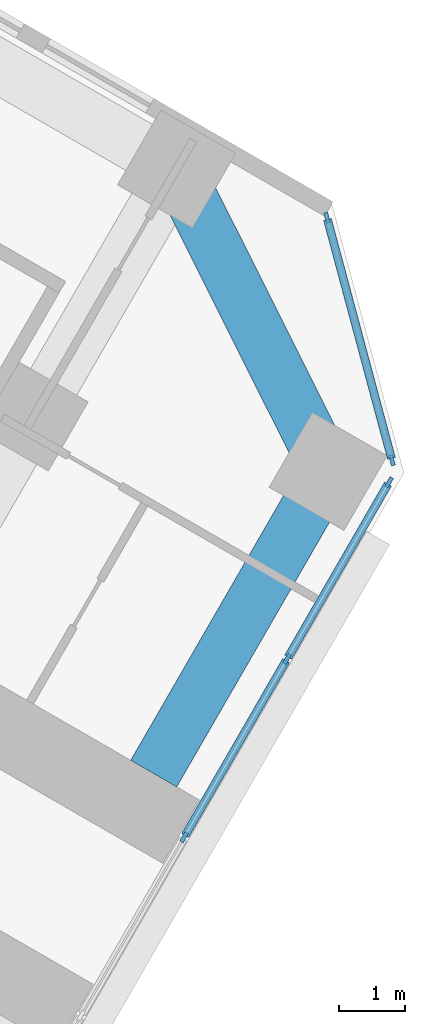
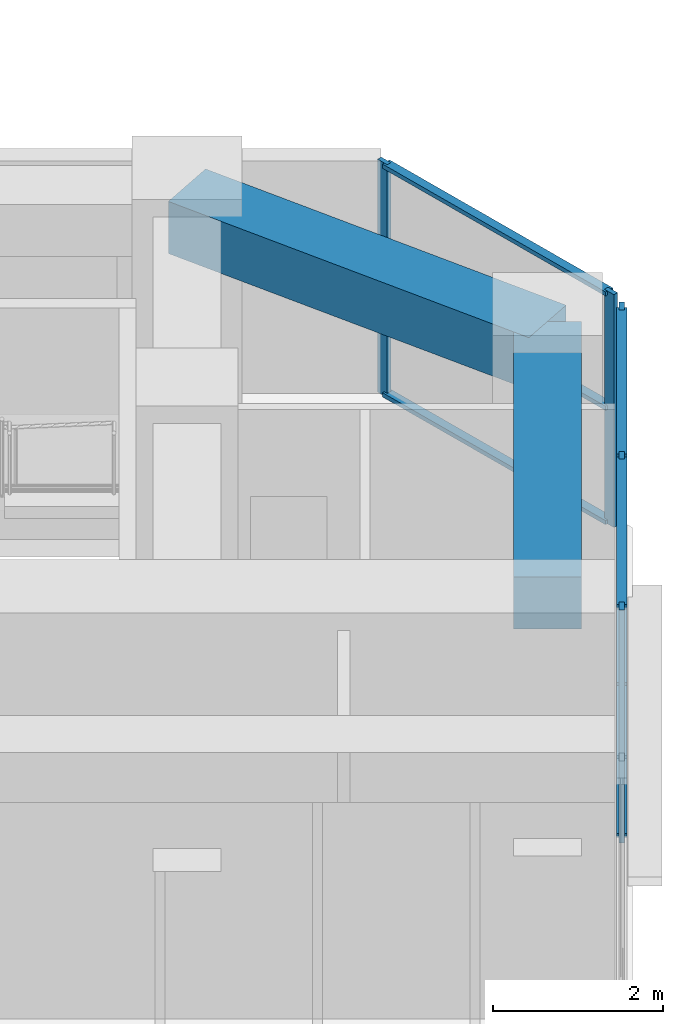
# One storey, part 8 of 19: 12 members, 2 beams, 2 elements without a shape of their own.
"""IFC4 building model written with IfcOpenShell, lengths in metres."""

from ifc_helpers import new_model, si_unit, direction, frame, origin, origin_2d, place, context, subcontext, project, spatial, rectangle, extrude, material, material_profile, profile_set, type_object, element, aggregate, save


model = new_model("IFC4")

# Units and contexts
model_context = context("Model", 3, precision=1e-05, world=origin(), true_north=direction((0.0, 1.0)))
body_context = subcontext(model_context, "Body", "Model", "MODEL_VIEW")
ifc_project = project(units=[si_unit("LENGTHUNIT", "METRE"), si_unit("AREAUNIT", "SQUARE_METRE"), si_unit("VOLUMEUNIT", "CUBIC_METRE"), si_unit("PLANEANGLEUNIT", "RADIAN"), si_unit("MASSUNIT", "GRAM", prefix="KILO")], contexts=[model_context])

# Site, building, storey
site_placement = place(None, origin())
site = spatial("IfcSite", under=ifc_project, at=site_placement, CompositionType="ELEMENT")
building_placement = place(site_placement, origin())
building = spatial("IfcBuilding", under=site, at=building_placement, Name="Kosmar Iwan School Tower", CompositionType="ELEMENT")
storey_placement = place(building_placement, frame((0.0, 0.0, 120.199951171875)))
storey = spatial("IfcBuildingStorey", under=building, at=storey_placement, Name="L29", CompositionType="ELEMENT", Elevation=120.199951171875)

# Curtain wall, members
ifc_material_1 = material(Name="Dark glass in black aluminium frame", Category="aluminium")
curtain_wall_type = type_object("IfcCurtainWallType", Name="Sky lounge curtain wall", PredefinedType="USERDEFINED", material=ifc_material_1)
curtain_wall_1_placement = place(storey_placement, origin())
curtain_wall_1 = element("IfcCurtainWall", 1, at=curtain_wall_1_placement, inside=storey, type_object=curtain_wall_type, Name="Curtain wall L29-F03", ObjectType="FULL HEIGHT CURTAIN WALL", PredefinedType="USERDEFINED")
ifc_material_2 = material(Name="Black anodised aluminium", Category="aluminium")
ifc_material_profile_1 = material_profile(ifc_material_2, rectangle(XDim=0.06005859375, YDim=0.159912109375, at=origin_2d()), Name="MULLION 60x160")
ifc_profile_set_1 = profile_set([ifc_material_profile_1], Name="Black anodised aluminium")
member_type_1 = type_object("IfcMemberType", Name="Mullion 60x160", PredefinedType="MULLION", material=ifc_profile_set_1)
member_1_placement = place(storey_placement, frame((30.631103515625, -15.8955078125, 0.0), z_axis=(0.0, 0.0, 1.0), x_axis=(-0.866025405329, 0.499999997325, 0.0)))
member_1 = element("IfcMember", 2, at=member_1_placement, type_object=member_type_1, Name="CW6 mullion 4", PredefinedType="MULLION", context=body_context, shape_type="SweptSolid", body=[
    extrude(rectangle(XDim=0.06005859375, YDim=0.159912109375, at=origin_2d()), origin(), (0.0, 0.0, 1.0), 3.35009765625),
])
member_2_placement = place(storey_placement, frame((32.1806640625, -13.21142578125, 0.0), z_axis=(0.0, 0.0, 1.0), x_axis=(-0.866025405329, 0.499999997325, 0.0)))
member_2 = element("IfcMember", 3, at=member_2_placement, type_object=member_type_1, Name="CW6 mullion 5", PredefinedType="MULLION", context=body_context, shape_type="SweptSolid", body=[
    extrude(rectangle(XDim=0.06005859375, YDim=0.159912109375, at=origin_2d()), origin(), (0.0, 0.0, 1.0), 3.35009765625),
])
member_3_placement = place(storey_placement, frame((33.71533203125, -10.55322265625, 0.0), z_axis=(0.0, 0.0, 1.0), x_axis=(-0.866025405329, 0.499999997325, 0.0)))
member_3 = element("IfcMember", 4, at=member_3_placement, type_object=member_type_1, Name="CW6 mullion 6", PredefinedType="MULLION", context=body_context, shape_type="SweptSolid", body=[
    extrude(rectangle(XDim=0.06005859375, YDim=0.159912109375, at=origin_2d()), origin(), (0.0, 0.0, 1.0), 3.35009765625),
])

curtain_wall_2_placement = place(storey_placement, origin())
curtain_wall_2 = element("IfcCurtainWall", 5, at=curtain_wall_2_placement, inside=storey, type_object=curtain_wall_type, Name="Curtain wall L29-F04", ObjectType="FULL HEIGHT CURTAIN WALL", PredefinedType="USERDEFINED")
member_4_placement = place(storey_placement, frame((33.7587890625, -10.2236328125, 0.0), z_axis=(0.0, 0.0, 1.0), x_axis=(-0.965925875495, -0.258818861462, 0.0)))
member_4 = element("IfcMember", 6, at=member_4_placement, type_object=member_type_1, Name="CW6 mullion 1", PredefinedType="MULLION", context=body_context, shape_type="SweptSolid", body=[
    extrude(rectangle(XDim=0.06005859375, YDim=0.159912109375, at=origin_2d()), origin(), (0.0, 0.0, 1.0), 3.35009765625),
])
member_5_placement = place(storey_placement, frame((32.78076171875, -6.5732421875, 0.0), z_axis=(0.0, 0.0, 1.0), x_axis=(-0.965925875495, -0.258818861462, 0.0)))
member_5 = element("IfcMember", 7, at=member_5_placement, type_object=member_type_1, Name="CW6 mullion 2", PredefinedType="MULLION", context=body_context, shape_type="SweptSolid", body=[
    extrude(rectangle(XDim=0.06005859375, YDim=0.159912109375, at=origin_2d()), origin(), (0.0, 0.0, 1.0), 3.35009765625),
])

# Beams
ifc_material_3 = material(Name="Concrete C50/60", Category="concrete")
ifc_material_profile_2 = material_profile(ifc_material_3, rectangle(XDim=0.800048828125, YDim=0.75, at=origin_2d()), Name="RC 800x750")
ifc_profile_set_2 = profile_set([ifc_material_profile_2], Name="Concrete C50/60")
beam_type = type_object("IfcBeamType", Name="RC tip beam 800x750", PredefinedType="BEAM", material=ifc_profile_set_2)
beam_1_placement = place(storey_placement, frame((30.517822265625, -5.841552734375, 2.97509765625), z_axis=(0.44809604203, -0.893985423325, 0.0), x_axis=(0.893985423325, 0.44809604203, 0.0)))
element("IfcBeam", 8, at=beam_1_placement, inside=storey, type_object=beam_type, Name="Tip beam CL", PredefinedType="BEAM", context=body_context, shape_type="SweptSolid", body=[
    extrude(rectangle(XDim=0.800048828125, YDim=0.75, at=origin_2d()), origin(), (0.0, 0.0, 1.0), 5.08935546875),
])
beam_2_placement = place(storey_placement, frame((32.79833984375, -10.391357421875, 2.97509765625), z_axis=(-0.500000207062, -0.866025284237, 0.0), x_axis=(0.866025284237, -0.500000207062, 0.0)))
element("IfcBeam", 9, at=beam_2_placement, inside=storey, type_object=beam_type, Name="Tip beam CL to corridor wall", PredefinedType="BEAM", context=body_context, shape_type="SweptSolid", body=[
    extrude(rectangle(XDim=0.800048828125, YDim=0.75, at=origin_2d()), origin(), (0.0, 0.0, 1.0), 5.25),
])

# Member
ifc_material_4 = material(Name="Black anodised aluminium", Category="aluminium")
ifc_material_profile_3 = material_profile(ifc_material_4, rectangle(XDim=0.1201171875, YDim=0.06005859375, at=origin_2d()), Name="TRANSOM 60x120")
ifc_profile_set_3 = profile_set([ifc_material_profile_3], Name="Black anodised aluminium")
member_type_2 = type_object("IfcMemberType", Name="Transom 60x120", PredefinedType="USERDEFINED", material=ifc_profile_set_3)
member_6_placement = place(storey_placement, frame((30.64599609375, -15.869384765625, 0.030029296875), z_axis=(0.500035348339, 0.866004994449, 0.0), x_axis=(-0.866004994449, 0.500035348339, 0.0)))
member_6 = element("IfcMember", 10, at=member_6_placement, type_object=member_type_2, Name="CW6 transom 4.1", ObjectType="TRANSOM", PredefinedType="USERDEFINED", context=body_context, shape_type="SweptSolid", body=[
    extrude(rectangle(XDim=0.1201171875, YDim=0.06005859375, at=origin_2d()), origin(), (0.0, 0.0, 1.0), 3.039306640625),
])

member_7_placement = place(storey_placement, frame((30.64599609375, -15.869384765625, 3.320068359375), z_axis=(0.500035348339, 0.866004994449, 0.0), x_axis=(-0.866004994449, 0.500035348339, 0.0)))
member_7 = element("IfcMember", 11, at=member_7_placement, type_object=member_type_2, Name="CW6 transom 4.2", ObjectType="TRANSOM", PredefinedType="USERDEFINED", context=body_context, shape_type="SweptSolid", body=[
    extrude(rectangle(XDim=0.1201171875, YDim=0.06005859375, at=origin_2d()), origin(), (0.0, 0.0, 1.0), 3.039306640625),
])

member_8_placement = place(storey_placement, frame((32.19580078125, -13.185302734375, 0.030029296875), z_axis=(0.500022102064, 0.866012642776, 0.0), x_axis=(-0.866012642776, 0.500022102064, 0.0)))
member_8 = element("IfcMember", 12, at=member_8_placement, type_object=member_type_2, Name="CW6 transom 5.1", ObjectType="TRANSOM", PredefinedType="USERDEFINED", context=body_context, shape_type="SweptSolid", body=[
    extrude(rectangle(XDim=0.1201171875, YDim=0.06005859375, at=origin_2d()), origin(), (0.0, 0.0, 1.0), 3.009033203125),
])

member_9_placement = place(storey_placement, frame((32.19580078125, -13.185302734375, 3.320068359375), z_axis=(0.500022102064, 0.866012642776, 0.0), x_axis=(-0.866012642776, 0.500022102064, 0.0)))
member_9 = element("IfcMember", 13, at=member_9_placement, type_object=member_type_2, Name="CW6 transom 5.2", ObjectType="TRANSOM", PredefinedType="USERDEFINED", context=body_context, shape_type="SweptSolid", body=[
    extrude(rectangle(XDim=0.1201171875, YDim=0.06005859375, at=origin_2d()), origin(), (0.0, 0.0, 1.0), 3.009033203125),
])

aggregate(curtain_wall_1, [member_1, member_2, member_3, member_6, member_7, member_8, member_9])

member_10_placement = place(storey_placement, frame((33.7509765625, -10.194580078125, 0.030029296875), z_axis=(-0.258843273983, 0.965919333854, 0.0), x_axis=(-0.965919333854, -0.258843273983, 0.0)))
member_10 = element("IfcMember", 14, at=member_10_placement, type_object=member_type_2, Name="CW6 transom 1.1", ObjectType="TRANSOM", PredefinedType="USERDEFINED", context=body_context, shape_type="SweptSolid", body=[
    extrude(rectangle(XDim=0.1201171875, YDim=0.06005859375, at=origin_2d()), origin(), (0.0, 0.0, 1.0), 3.718994140625),
])

member_11_placement = place(storey_placement, frame((33.7509765625, -10.194580078125, 1.675048828125), z_axis=(-0.258843273983, 0.965919333854, 0.0), x_axis=(-0.965919333854, -0.258843273983, 0.0)))
member_11 = element("IfcMember", 15, at=member_11_placement, type_object=member_type_2, Name="CW6 transom 1.2", ObjectType="TRANSOM", PredefinedType="USERDEFINED", context=body_context, shape_type="SweptSolid", body=[
    extrude(rectangle(XDim=0.1201171875, YDim=0.06005859375, at=origin_2d()), origin(), (0.0, 0.0, 1.0), 3.718994140625),
])

member_12_placement = place(storey_placement, frame((33.7509765625, -10.194580078125, 3.320068359375), z_axis=(-0.258843273983, 0.965919333854, 0.0), x_axis=(-0.965919333854, -0.258843273983, 0.0)))
member_12 = element("IfcMember", 16, at=member_12_placement, type_object=member_type_2, Name="CW6 transom 1.3", ObjectType="TRANSOM", PredefinedType="USERDEFINED", context=body_context, shape_type="SweptSolid", body=[
    extrude(rectangle(XDim=0.1201171875, YDim=0.06005859375, at=origin_2d()), origin(), (0.0, 0.0, 1.0), 3.718994140625),
])

aggregate(curtain_wall_2, [member_4, member_5, member_10, member_11, member_12])

save(model, "model.ifc")
